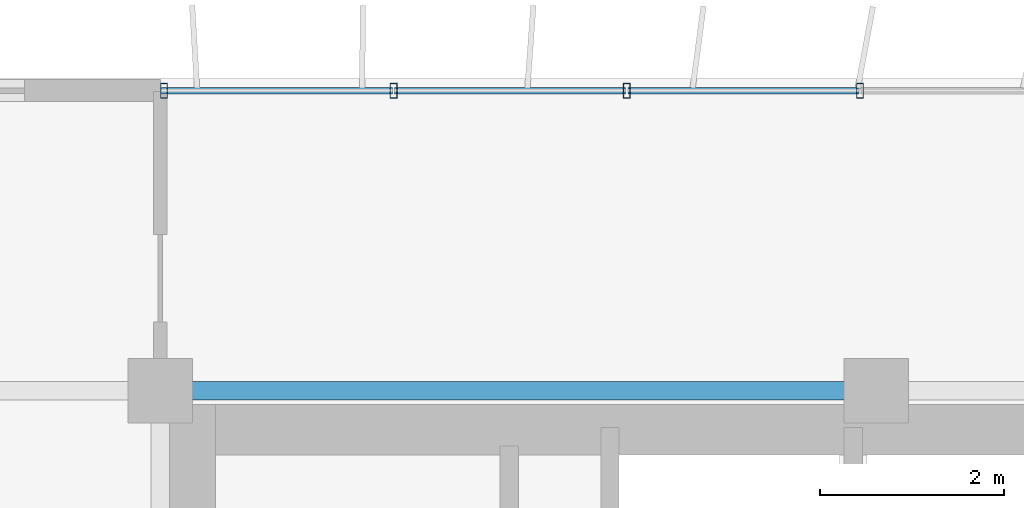
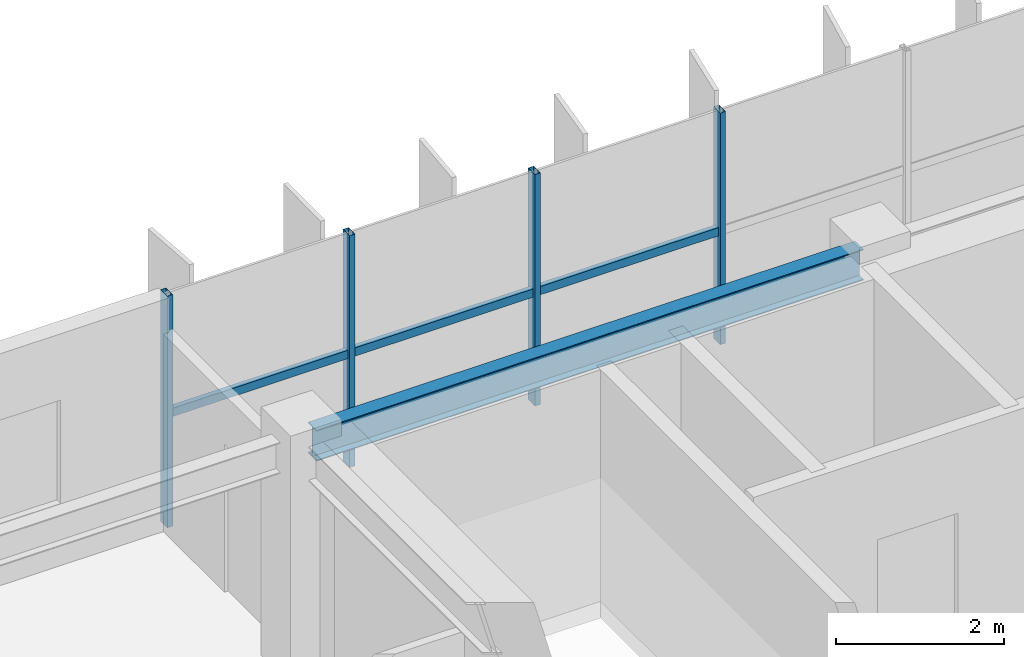
# One storey, part 10 of 27: 7 members, 1 beam, 1 element without a shape of its own.
"""IFC4 building model written with IfcOpenShell, lengths in metres."""

from ifc_helpers import new_model, si_unit, direction, frame, origin, origin_2d, place, context, subcontext, project, spatial, hollow_rectangle, i_section, extrude, source, transform, mapped, material, material_profile, profile_set, type_object, element, aggregate, save


model = new_model("IFC4")

# Units and contexts
model_context = context("Model", 3, precision=1e-05, world=origin(), true_north=direction((0.0, 1.0)))
body_context = subcontext(model_context, "Body", "Model", "MODEL_VIEW")
ifc_project = project(units=[si_unit("LENGTHUNIT", "METRE"), si_unit("AREAUNIT", "SQUARE_METRE"), si_unit("VOLUMEUNIT", "CUBIC_METRE"), si_unit("PLANEANGLEUNIT", "RADIAN"), si_unit("MASSUNIT", "GRAM", prefix="KILO")], contexts=[model_context])

# Site, building, storey
site_placement = place(None, origin())
site = spatial("IfcSite", under=ifc_project, at=site_placement, CompositionType="ELEMENT")
building_placement = place(site_placement, origin())
building = spatial("IfcBuilding", under=site, at=building_placement, Name="Trelvane Seafront Commons", CompositionType="ELEMENT")
storey_placement = place(building_placement, frame((0.0, 0.0, 233.699951171875)))
storey = spatial("IfcBuildingStorey", under=building, at=storey_placement, Name="L61", CompositionType="ELEMENT", Elevation=233.699951171875)

# Beam
ifc_material_1 = material(Name="Steel SM355 (S355)", Category="steel")
ifc_material_profile_1 = material_profile(ifc_material_1, i_section(OverallWidth=0.199951171875, OverallDepth=0.449951171875, WebThickness=0.009033203125, FlangeThickness=0.013916015625, at=origin_2d()), Name="H-450x200x9x14")
ifc_profile_set_1 = profile_set([ifc_material_profile_1], Name="Steel SM355 (S355)")
beam_type = type_object("IfcBeamType", Name="STR-SPD-H450", PredefinedType="SPANDREL", material=ifc_profile_set_1)
shared_shape_1 = source(origin(), body_context, "Body", "SweptSolid", [
    extrude(i_section(OverallWidth=0.199951171875, OverallDepth=0.449951171875, WebThickness=0.009033203125, FlangeThickness=0.013916015625, at=origin_2d()), origin(), (0.0, 0.0, 1.0), 7.5),
])
beam_placement = place(storey_placement, frame((15.75, 45.10009765625, 3.135009765625), z_axis=(1.0, 0.0, 0.0), x_axis=(0.0, 1.0, 0.0)))
element("IfcBeam", 1, at=beam_placement, inside=storey, type_object=beam_type, Name="L61 Primary Girder G-23", PredefinedType="SPANDREL", context=body_context, shape_type="MappedRepresentation", body=[
    mapped(shared_shape_1, transform((0.0, 0.0, 0.0), x_axis=(1.0, 0.0, 0.0), y_axis=(0.0, 1.0, 0.0), z_axis=(0.0, 0.0, 1.0), scale=1.0)),
])

# Curtain wall, members
ifc_material_2 = material(Name="Anodised pale-silver aluminium", Category="aluminium")
curtain_wall_type = type_object("IfcCurtainWallType", Name="ARCH-CW5-UPTOWER", PredefinedType="NOTDEFINED", material=ifc_material_2)
curtain_wall_placement = place(storey_placement, origin())
curtain_wall = element("IfcCurtainWall", 2, at=curtain_wall_placement, inside=storey, type_object=curtain_wall_type, Name="CW-L61-0104", PredefinedType="NOTDEFINED")
ifc_material_profile_2 = material_profile(ifc_material_2, hollow_rectangle(XDim=0.070068359375, YDim=0.1201171875, WallThickness=0.00390625, at=origin_2d()), Name="TRAN-70x120x4")
ifc_profile_set_2 = profile_set([ifc_material_profile_2], Name="Anodised pale-silver aluminium")
member_type_1 = type_object("IfcMemberType", Name="ARCH-CW-TRAN-120", PredefinedType="USERDEFINED", material=ifc_profile_set_2)
shared_shape_2 = source(origin(), body_context, "Body", "SweptSolid", [
    extrude(hollow_rectangle(XDim=0.070068359375, YDim=0.1201171875, WallThickness=0.00390625, at=origin_2d()), origin(), (0.0, 0.0, 1.0), 2.51708984375),
])
member_1_placement = place(storey_placement, frame((15.612060546875, 48.3701171875, 1.613037109375), z_axis=(1.0, 0.0, 0.0), x_axis=(0.0, 1.0, 0.0)))
member_1 = element("IfcMember", 3, at=member_1_placement, type_object=member_type_1, Name="CW-L61-0104-T00", ObjectType="TRANSOM", PredefinedType="USERDEFINED", context=body_context, shape_type="MappedRepresentation", body=[
    mapped(shared_shape_2, transform((0.0, 0.0, 0.0), x_axis=(1.0, 0.0, 0.0), y_axis=(0.0, 1.0, 0.0), z_axis=(0.0, 0.0, 1.0), scale=1.0)),
])
member_2_placement = place(storey_placement, frame((18.1533203125, 48.3701171875, 1.613037109375), z_axis=(1.0, 0.0, 0.0), x_axis=(0.0, 1.0, 0.0)))
member_2 = element("IfcMember", 4, at=member_2_placement, type_object=member_type_1, Name="CW-L61-0104-T01", ObjectType="TRANSOM", PredefinedType="USERDEFINED", context=body_context, shape_type="MappedRepresentation", body=[
    mapped(shared_shape_2, transform((0.0, 0.0, 0.0), x_axis=(1.0, 0.0, 0.0), y_axis=(0.0, 1.0, 0.0), z_axis=(0.0, 0.0, 1.0), scale=1.0)),
])
member_3_placement = place(storey_placement, frame((20.6943359375, 48.3701171875, 1.613037109375), z_axis=(1.0, 0.0, 0.0), x_axis=(0.0, 1.0, 0.0)))
member_3 = element("IfcMember", 5, at=member_3_placement, type_object=member_type_1, Name="CW-L61-0104-T02", ObjectType="TRANSOM", PredefinedType="USERDEFINED", context=body_context, shape_type="MappedRepresentation", body=[
    mapped(shared_shape_2, transform((0.0, 0.0, 0.0), x_axis=(1.0, 0.0, 0.0), y_axis=(0.0, 1.0, 0.0), z_axis=(0.0, 0.0, 1.0), scale=1.0)),
])
ifc_material_profile_3 = material_profile(ifc_material_2, hollow_rectangle(XDim=0.074951171875, YDim=0.159912109375, WallThickness=0.00390625, at=origin_2d()), Name="MULL-75x160x4")
ifc_profile_set_3 = profile_set([ifc_material_profile_3], Name="Anodised pale-silver aluminium")
member_type_2 = type_object("IfcMemberType", Name="ARCH-CW-MULL-160", PredefinedType="MULLION", material=ifc_profile_set_3)
shared_shape_3 = source(origin(), body_context, "Body", "SweptSolid", [
    extrude(hollow_rectangle(XDim=0.074951171875, YDim=0.159912109375, WallThickness=0.00390625, at=origin_2d()), origin(), (0.0, 0.0, 1.0), 3.360107421875),
])
member_4_placement = place(storey_placement, frame((15.639892578125, 48.3701171875, 0.0), z_axis=(0.0, 0.0, 1.0), x_axis=(1.0, 0.0, 0.0)))
member_4 = element("IfcMember", 6, at=member_4_placement, type_object=member_type_2, Name="CW-L61-0104-M00", PredefinedType="MULLION", context=body_context, shape_type="MappedRepresentation", body=[
    mapped(shared_shape_3, transform((0.0, 0.0, 0.0), x_axis=(1.0, 0.0, 0.0), y_axis=(0.0, 1.0, 0.0), z_axis=(0.0, 0.0, 1.0), scale=1.0)),
])
member_5_placement = place(storey_placement, frame((18.14111328125, 48.3701171875, 0.0), z_axis=(0.0, 0.0, 1.0), x_axis=(1.0, 0.0, 0.0)))
member_5 = element("IfcMember", 7, at=member_5_placement, type_object=member_type_2, Name="CW-L61-0104-M01", PredefinedType="MULLION", context=body_context, shape_type="MappedRepresentation", body=[
    mapped(shared_shape_3, transform((0.0, 0.0, 0.0), x_axis=(1.0, 0.0, 0.0), y_axis=(0.0, 1.0, 0.0), z_axis=(0.0, 0.0, 1.0), scale=1.0)),
])
member_6_placement = place(storey_placement, frame((20.682373046875, 48.3701171875, 0.0), z_axis=(0.0, 0.0, 1.0), x_axis=(1.0, 0.0, 0.0)))
member_6 = element("IfcMember", 8, at=member_6_placement, type_object=member_type_2, Name="CW-L61-0104-M02", PredefinedType="MULLION", context=body_context, shape_type="MappedRepresentation", body=[
    mapped(shared_shape_3, transform((0.0, 0.0, 0.0), x_axis=(1.0, 0.0, 0.0), y_axis=(0.0, 1.0, 0.0), z_axis=(0.0, 0.0, 1.0), scale=1.0)),
])
member_7_placement = place(storey_placement, frame((23.223388671875, 48.3701171875, 0.0), z_axis=(0.0, 0.0, 1.0), x_axis=(1.0, 0.0, 0.0)))
member_7 = element("IfcMember", 9, at=member_7_placement, type_object=member_type_2, Name="CW-L61-0104-M03", PredefinedType="MULLION", context=body_context, shape_type="MappedRepresentation", body=[
    mapped(shared_shape_3, transform((0.0, 0.0, 0.0), x_axis=(1.0, 0.0, 0.0), y_axis=(0.0, 1.0, 0.0), z_axis=(0.0, 0.0, 1.0), scale=1.0)),
])
aggregate(curtain_wall, [member_4, member_5, member_6, member_7, member_1, member_2, member_3])

save(model, "model.ifc")
